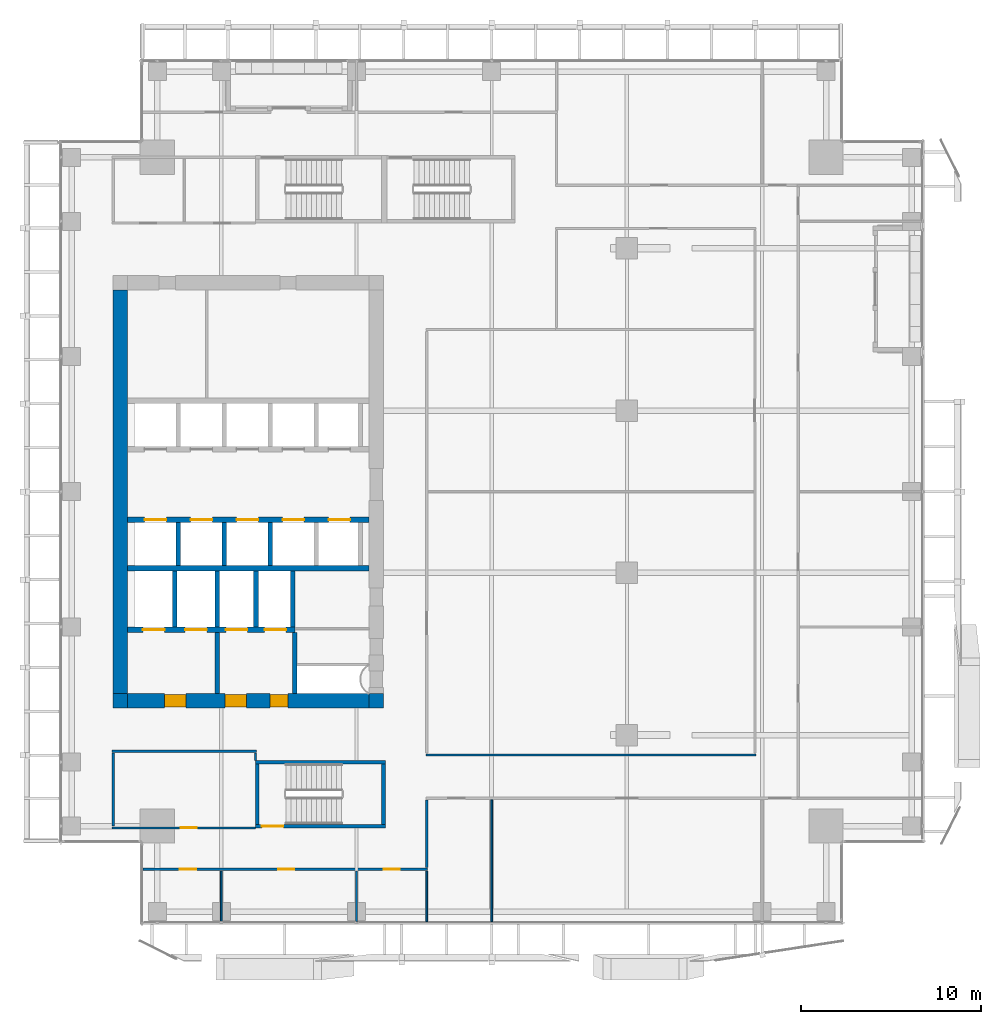
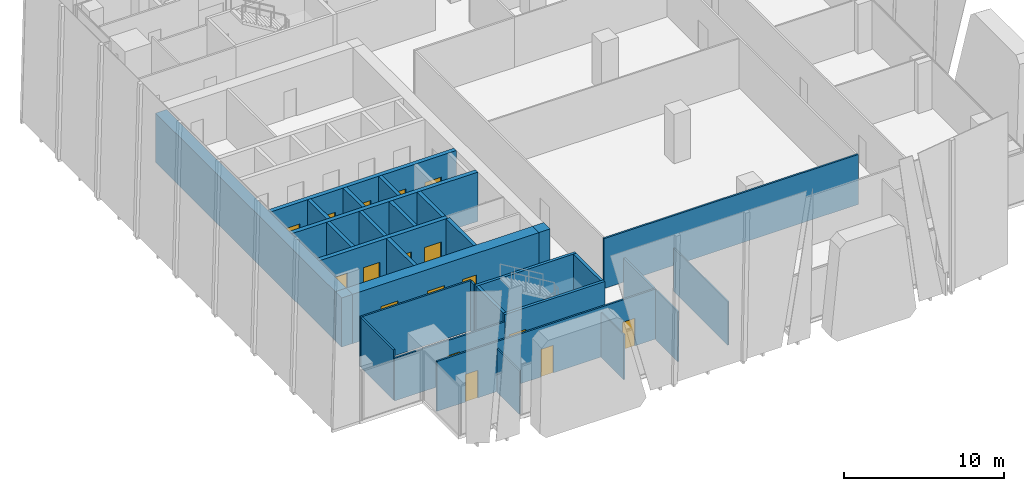
# One storey, part 28 of 35: 31 walls, 17 doors, 17 openings.
"""IFC4 building model written with IfcOpenShell, lengths in metres."""

from ifc_helpers import new_model, si_unit, direction, frame, frame_2d, origin, place, context, subcontext, project, spatial, rectangle, extrude, source, transform, mapped, material, layer, layer_set, type_object, element, fill, save


model = new_model("IFC4")

# Units and contexts
model_context = context("Model", 3, precision=1e-05, world=origin(), true_north=direction((0.0, 1.0)))
body_context = subcontext(model_context, "Body", "Model", "MODEL_VIEW")
ifc_project = project(units=[si_unit("LENGTHUNIT", "METRE"), si_unit("AREAUNIT", "SQUARE_METRE"), si_unit("VOLUMEUNIT", "CUBIC_METRE"), si_unit("PLANEANGLEUNIT", "RADIAN"), si_unit("MASSUNIT", "GRAM", prefix="KILO")], contexts=[model_context])

# Site, building, storey
site_placement = place(None, origin())
site = spatial("IfcSite", under=ifc_project, at=site_placement, CompositionType="ELEMENT")
building_placement = place(site_placement, origin())
building = spatial("IfcBuilding", under=site, at=building_placement, Name="Khomas Fold Tower", CompositionType="ELEMENT")
storey_placement = place(building_placement, frame((0.0, 0.0, 188.699951171875)))
storey = spatial("IfcBuildingStorey", under=building, at=storey_placement, Name="L41", CompositionType="ELEMENT", Elevation=188.699951171875)

# Wall, openings, doors
ifc_material_1 = material(Name="Concrete C60/75", Category="concrete")
ifc_layer_1 = layer(ifc_material_1, 0.800048828125)
ifc_layer_set_1 = layer_set([ifc_layer_1], Name="Concrete C60/75")
wall_type_1 = type_object("IfcWallType", Name="Core wall 800", PredefinedType="SHEAR", material=ifc_layer_set_1)
shared_shape_1 = source(origin(), body_context, "Body", "SweptSolid", [
    extrude(rectangle(XDim=13.39990234375, YDim=0.800048828125, at=frame_2d((6.699951171875, 0.0))), origin(), (0.0, 0.0, 1.0), 3.75),
])
wall_1_placement = place(storey_placement, frame((6.800048828125, 15.39990234375, 0.0), z_axis=(0.0, 0.0, 1.0), x_axis=(1.0, 0.0, 0.0)))
wall_1 = element("IfcWall", 1, at=wall_1_placement, inside=storey, type_object=wall_type_1, Name="Core wall CW-U-S-L35", PredefinedType="SHEAR", context=body_context, shape_type="MappedRepresentation", body=[
    mapped(shared_shape_1, transform((0.0, 0.0, 0.0))),
])
shared_shape_2 = source(origin(), body_context, "Body", "SweptSolid", [
    extrude(rectangle(XDim=1.199951171875, YDim=2.10009765625, at=frame_2d((0.60009765625, 1.050048828125))), frame((0.0, 0.409912109375, 0.0), z_axis=(0.0, -1.0, 0.0), x_axis=(1.0, 0.0, 0.0)), (0.0, 0.0, 1.0), 0.820068359375),
])
opening_1_placement = place(wall_1_placement, frame((5.39990234375, 0.0, 0.0)))
opening_1 = element("IfcOpeningElement", 2, at=opening_1_placement, cuts=wall_1, Name="Opening 0009", PredefinedType="OPENING", context=body_context, shape_type="MappedRepresentation", body=[
    mapped(shared_shape_2, transform((0.0, 0.0, 0.0))),
])
opening_2_placement = place(wall_1_placement, frame((2.050048828125, 0.0, 0.0)))
opening_2 = element("IfcOpeningElement", 3, at=opening_2_placement, cuts=wall_1, Name="Opening 0009", PredefinedType="OPENING", context=body_context, shape_type="MappedRepresentation", body=[
    mapped(shared_shape_2, transform((0.0, 0.0, 0.0))),
])
shared_shape_3 = source(origin(), body_context, "Body", "SweptSolid", [
    extrude(rectangle(XDim=1.0, YDim=2.10009765625, at=frame_2d((0.5, 1.050048828125))), frame((0.0, 0.409912109375, 0.0), z_axis=(0.0, -1.0, 0.0), x_axis=(1.0, 0.0, 0.0)), (0.0, 0.0, 1.0), 0.820068359375),
])
opening_3_placement = place(wall_1_placement, frame((7.89990234375, 0.0, 0.0)))
opening_3 = element("IfcOpeningElement", 4, at=opening_3_placement, cuts=wall_1, Name="Opening 0010", PredefinedType="OPENING", context=body_context, shape_type="MappedRepresentation", body=[
    mapped(shared_shape_3, transform((0.0, 0.0, 0.0))),
])
ifc_material_2 = material(Name="Steel door leaf", Category="steel")
door_type_1 = type_object("IfcDoorType", Name="Lobby door 1200x2100 right-hand", OperationType="SINGLE_SWING_RIGHT", PredefinedType="DOOR", material=ifc_material_2)
shared_shape_4 = source(origin(), body_context, "Body", "SweptSolid", [
    extrude(rectangle(XDim=1.199951171875, YDim=2.10009765625, at=frame_2d((0.60009765625, 1.050048828125))), frame((0.0, 0.35009765625, 0.0), z_axis=(0.0, -1.0, 0.0), x_axis=(1.0, 0.0, 0.0)), (0.0, 0.0, 1.0), 0.699951171875),
])
door_1_placement = place(opening_1_placement, origin())
door_1 = element("IfcDoor", 5, at=door_1_placement, inside=storey, type_object=door_type_1, Name="Lobby door", OperationType="SINGLE_SWING_RIGHT", OverallHeight=2.10009765625, OverallWidth=1.199951171875, PredefinedType="DOOR", context=body_context, shape_type="MappedRepresentation", body=[
    mapped(shared_shape_4, transform((0.0, 0.0, 0.0))),
])
fill(opening_1, door_1)
door_2_placement = place(opening_2_placement, origin())
door_2 = element("IfcDoor", 6, at=door_2_placement, inside=storey, type_object=door_type_1, Name="Lobby door", OperationType="SINGLE_SWING_RIGHT", OverallHeight=2.10009765625, OverallWidth=1.199951171875, PredefinedType="DOOR", context=body_context, shape_type="MappedRepresentation", body=[
    mapped(shared_shape_4, transform((0.0, 0.0, 0.0))),
])
fill(opening_2, door_2)
ifc_material_3 = material(Name="Steel door leaf", Category="steel")
door_type_2 = type_object("IfcDoorType", Name="Stair door 1000x2100 right-hand", OperationType="SINGLE_SWING_RIGHT", PredefinedType="DOOR", material=ifc_material_3)
shared_shape_5 = source(origin(), body_context, "Body", "SweptSolid", [
    extrude(rectangle(XDim=1.0, YDim=2.10009765625, at=frame_2d((0.5, 1.050048828125))), frame((0.0, 0.35009765625, 0.0), z_axis=(0.0, -1.0, 0.0), x_axis=(1.0, 0.0, 0.0)), (0.0, 0.0, 1.0), 0.699951171875),
])
door_3_placement = place(opening_3_placement, origin())
door_3 = element("IfcDoor", 7, at=door_3_placement, inside=storey, type_object=door_type_2, Name="Stair door", OperationType="SINGLE_SWING_RIGHT", OverallHeight=2.10009765625, OverallWidth=1.0, PredefinedType="DOOR", context=body_context, shape_type="MappedRepresentation", body=[
    mapped(shared_shape_5, transform((0.0, 0.0, 0.0))),
])
fill(opening_3, door_3)

# Walls
ifc_material_4 = material(Name="Concrete C60/75", Category="concrete")
ifc_layer_2 = layer(ifc_material_4, 0.800048828125)
ifc_layer_set_2 = layer_set([ifc_layer_2], Name="Concrete C60/75")
wall_type_2 = type_object("IfcWallType", Name="Core corner wall 800", PredefinedType="SHEAR", material=ifc_layer_set_2)
shared_shape_6 = source(origin(), body_context, "Body", "SweptSolid", [
    extrude(rectangle(XDim=0.800048828125, YDim=0.800048828125, at=frame_2d((0.39990234375, 0.0))), origin(), (0.0, 0.0, 1.0), 3.75),
])
for number, where, z_axis, x_axis, name in (
    (8, (20.199951171875, 15.39990234375, 0.0), (0.0, 0.0, 1.0), (1.0, 0.0, 0.0), "Core wall CW-U-SE-L35"),
    (9, (6.0, 15.39990234375, 0.0), (0.0, 0.0, 1.0), (1.0, 0.0, 0.0), "Core wall CW-U-SW-L35"),
):
    element("IfcWall", number, at=place(storey_placement, frame(where, z_axis=z_axis, x_axis=x_axis)), inside=storey, type_object=wall_type_2, Name=name, PredefinedType="SHEAR", context=body_context, shape_type="MappedRepresentation", body=[
        mapped(shared_shape_6, transform((0.0, 0.0, 0.0))),
    ])
shared_shape_7 = source(origin(), body_context, "Body", "SweptSolid", [
    extrude(rectangle(XDim=22.39990234375, YDim=0.800048828125, at=frame_2d((11.199951171875, 0.0))), origin(), (0.0, 0.0, 1.0), 3.75),
])
wall_2_placement = place(storey_placement, frame((6.39990234375, 15.800048828125, 0.0), z_axis=(0.0, 0.0, 1.0), x_axis=(0.0, 1.0, 0.0)))
element("IfcWall", 10, at=wall_2_placement, inside=storey, type_object=wall_type_1, Name="Core wall CW-U-W-L35", PredefinedType="SHEAR", context=body_context, shape_type="MappedRepresentation", body=[
    mapped(shared_shape_7, transform((0.0, 0.0, 0.0))),
])
ifc_material_5 = material(Name="Concrete C50/60", Category="concrete")
ifc_layer_3 = layer(ifc_material_5, 0.199951171875)
ifc_layer_set_3 = layer_set([ifc_layer_3], Name="Concrete C50/60")
wall_type_3 = type_object("IfcWallType", Name="Stair wall 200", PredefinedType="SHEAR", material=ifc_layer_set_3)
shared_shape_8 = source(origin(), body_context, "Body", "SweptSolid", [
    extrude(rectangle(XDim=7.2001953125, YDim=0.199951171875, at=frame_2d((3.60009765625, 0.0))), origin(), (0.0, 0.0, 1.0), 3.75),
])
wall_3_placement = place(storey_placement, frame((13.89990234375, 12.0, 0.0), z_axis=(0.0, 0.0, 1.0), x_axis=(1.0, 0.0, 0.0)))
element("IfcWall", 11, at=wall_3_placement, inside=storey, type_object=wall_type_3, Name="Stair wall SW-ST2-NH", PredefinedType="SHEAR", context=body_context, shape_type="MappedRepresentation", body=[
    mapped(shared_shape_8, transform((0.0, 0.0, 0.0))),
])

# Wall, opening, door
wall_4_placement = place(storey_placement, frame((13.89990234375, 8.449951171875, 0.0), z_axis=(0.0, 0.0, 1.0), x_axis=(1.0, 0.0, 0.0)))
wall_4 = element("IfcWall", 12, at=wall_4_placement, inside=storey, type_object=wall_type_3, Name="Stair wall SW-ST2-S", PredefinedType="SHEAR", context=body_context, shape_type="MappedRepresentation", body=[
    mapped(shared_shape_8, transform((0.0, 0.0, 0.0))),
])
shared_shape_9 = source(origin(), body_context, "Body", "SweptSolid", [
    extrude(rectangle(XDim=1.199951171875, YDim=2.10009765625, at=frame_2d((0.60009765625, 1.050048828125))), frame((0.0, 0.10986328125, 0.0), z_axis=(0.0, -1.0, 0.0), x_axis=(1.0, 0.0, 0.0)), (0.0, 0.0, 1.0), 0.219970703125),
])
opening_4_placement = place(wall_4_placement, frame((0.35009765625, 0.0, 0.0)))
opening_4 = element("IfcOpeningElement", 13, at=opening_4_placement, cuts=wall_4, Name="Opening SD-ST2", PredefinedType="OPENING", context=body_context, shape_type="MappedRepresentation", body=[
    mapped(shared_shape_9, transform((0.0, 0.0, 0.0))),
])
ifc_material_6 = material(Name="Steel door leaf", Category="steel")
door_type_3 = type_object("IfcDoorType", Name="Stair door 1200x2100 right-hand", OperationType="SINGLE_SWING_RIGHT", PredefinedType="DOOR", material=ifc_material_6)
shared_shape_10 = source(origin(), body_context, "Body", "SweptSolid", [
    extrude(rectangle(XDim=1.199951171875, YDim=2.10009765625, at=frame_2d((0.60009765625, 1.050048828125))), frame((0.0, 0.02490234375, 0.0), z_axis=(0.0, -1.0, 0.0), x_axis=(1.0, 0.0, 0.0)), (0.0, 0.0, 1.0), 0.050048828125),
])
door_4_placement = place(opening_4_placement, origin())
door_4 = element("IfcDoor", 14, at=door_4_placement, inside=storey, type_object=door_type_3, Name="Stair door", OperationType="SINGLE_SWING_RIGHT", OverallHeight=2.10009765625, OverallWidth=1.199951171875, PredefinedType="DOOR", context=body_context, shape_type="MappedRepresentation", body=[
    mapped(shared_shape_10, transform((0.0, 0.0, 0.0))),
])
fill(opening_4, door_4)

# Walls
shared_shape_11 = source(origin(), body_context, "Body", "SweptSolid", [
    extrude(rectangle(XDim=3.349853515625, YDim=0.199951171875, at=frame_2d((1.6748046875, 0.0))), origin(), (0.0, 0.0, 1.0), 3.75),
])
for number, where, z_axis, x_axis, name in (
    (15, (21.0, 8.550048828125, 0.0), (0.0, 0.0, 1.0), (0.0, 1.0, 0.0), "Stair wall SW-ST2-E"),
    (16, (14.0, 8.550048828125, 0.0), (0.0, 0.0, 1.0), (0.0, 1.0, 0.0), "Stair wall SW-ST2-W"),
):
    element("IfcWall", number, at=place(storey_placement, frame(where, z_axis=z_axis, x_axis=x_axis)), inside=storey, type_object=wall_type_3, Name=name, PredefinedType="SHEAR", context=body_context, shape_type="MappedRepresentation", body=[
        mapped(shared_shape_11, transform((0.0, 0.0, 0.0))),
    ])
ifc_material_7 = material(Name="Concrete C50/60", Category="concrete")
ifc_layer_4 = layer(ifc_material_7, 0.300048828125)
ifc_layer_set_4 = layer_set([ifc_layer_4], Name="Concrete C50/60")
wall_type_4 = type_object("IfcWallType", Name="Shaft wall 300", PredefinedType="STANDARD", material=ifc_layer_set_4)
shared_shape_12 = source(origin(), body_context, "Body", "SweptSolid", [
    extrude(rectangle(XDim=13.39990234375, YDim=0.300048828125, at=frame_2d((6.699951171875, 0.0))), origin(), (0.0, 0.0, 1.0), 3.75),
])
wall_5_placement = place(storey_placement, frame((6.800048828125, 22.75, 0.0), z_axis=(0.0, 0.0, 1.0), x_axis=(1.0, 0.0, 0.0)))
element("IfcWall", 17, at=wall_5_placement, inside=storey, type_object=wall_type_4, Name="Core wall SW-FS-B", PredefinedType="STANDARD", context=body_context, shape_type="MappedRepresentation", body=[
    mapped(shared_shape_12, transform((0.0, 0.0, 0.0))),
])

# Wall, openings, doors
wall_6_placement = place(storey_placement, frame((6.800048828125, 25.449951171875, 0.0), z_axis=(0.0, 0.0, 1.0), x_axis=(1.0, 0.0, 0.0)))
wall_6 = element("IfcWall", 18, at=wall_6_placement, inside=storey, type_object=wall_type_4, Name="Core wall SW-HRS-F", PredefinedType="STANDARD", context=body_context, shape_type="MappedRepresentation", body=[
    mapped(shared_shape_12, transform((0.0, 0.0, 0.0))),
])
shared_shape_13 = source(origin(), body_context, "Body", "SweptSolid", [
    extrude(rectangle(XDim=1.199951171875, YDim=2.10009765625, at=frame_2d((0.60009765625, 1.050048828125))), frame((0.0, 0.159912109375, 0.0), z_axis=(0.0, -1.0, 0.0), x_axis=(1.0, 0.0, 0.0)), (0.0, 0.0, 1.0), 0.320068359375),
])
opening_5_placement = place(wall_6_placement, frame((0.949951171875, 0.0, 0.0)))
opening_5 = element("IfcOpeningElement", 19, at=opening_5_placement, cuts=wall_6, Name="Opening LD-HR1", PredefinedType="OPENING", context=body_context, shape_type="MappedRepresentation", body=[
    mapped(shared_shape_13, transform((0.0, 0.0, 0.0))),
])
opening_6_placement = place(wall_6_placement, frame((3.5, 0.0, 0.0)))
opening_6 = element("IfcOpeningElement", 20, at=opening_6_placement, cuts=wall_6, Name="Opening LD-HR2", PredefinedType="OPENING", context=body_context, shape_type="MappedRepresentation", body=[
    mapped(shared_shape_13, transform((0.0, 0.0, 0.0))),
])
opening_7_placement = place(wall_6_placement, frame((6.050048828125, 0.0, 0.0)))
opening_7 = element("IfcOpeningElement", 21, at=opening_7_placement, cuts=wall_6, Name="Opening LD-HR3", PredefinedType="OPENING", context=body_context, shape_type="MappedRepresentation", body=[
    mapped(shared_shape_13, transform((0.0, 0.0, 0.0))),
])
opening_8_placement = place(wall_6_placement, frame((8.60009765625, 0.0, 0.0)))
opening_8 = element("IfcOpeningElement", 22, at=opening_8_placement, cuts=wall_6, Name="Opening LD-MR1", PredefinedType="OPENING", context=body_context, shape_type="MappedRepresentation", body=[
    mapped(shared_shape_13, transform((0.0, 0.0, 0.0))),
])
opening_9_placement = place(wall_6_placement, frame((11.14990234375, 0.0, 0.0)))
opening_9 = element("IfcOpeningElement", 23, at=opening_9_placement, cuts=wall_6, Name="Opening LD-MR2", PredefinedType="OPENING", context=body_context, shape_type="MappedRepresentation", body=[
    mapped(shared_shape_13, transform((0.0, 0.0, 0.0))),
])
ifc_material_8 = material(Name="Steel door leaf", Category="steel")
door_type_4 = type_object("IfcDoorType", Name="Landing door 1200x2100", OperationType="DOUBLE_DOOR_SLIDING", PredefinedType="DOOR", material=ifc_material_8)
door_5_placement = place(opening_5_placement, origin())
door_5 = element("IfcDoor", 24, at=door_5_placement, inside=storey, type_object=door_type_4, Name="Lift landing door", OperationType="DOUBLE_DOOR_SLIDING", OverallHeight=2.10009765625, OverallWidth=1.199951171875, PredefinedType="DOOR", context=body_context, shape_type="MappedRepresentation", body=[
    mapped(shared_shape_10, transform((0.0, 0.0, 0.0))),
])
fill(opening_5, door_5)
door_6_placement = place(opening_6_placement, origin())
door_6 = element("IfcDoor", 25, at=door_6_placement, inside=storey, type_object=door_type_4, Name="Lift landing door", OperationType="DOUBLE_DOOR_SLIDING", OverallHeight=2.10009765625, OverallWidth=1.199951171875, PredefinedType="DOOR", context=body_context, shape_type="MappedRepresentation", body=[
    mapped(shared_shape_10, transform((0.0, 0.0, 0.0))),
])
fill(opening_6, door_6)
door_7_placement = place(opening_7_placement, origin())
door_7 = element("IfcDoor", 26, at=door_7_placement, inside=storey, type_object=door_type_4, Name="Lift landing door", OperationType="DOUBLE_DOOR_SLIDING", OverallHeight=2.10009765625, OverallWidth=1.199951171875, PredefinedType="DOOR", context=body_context, shape_type="MappedRepresentation", body=[
    mapped(shared_shape_10, transform((0.0, 0.0, 0.0))),
])
fill(opening_7, door_7)
door_8_placement = place(opening_8_placement, origin())
door_8 = element("IfcDoor", 27, at=door_8_placement, inside=storey, type_object=door_type_4, Name="Lift landing door", OperationType="DOUBLE_DOOR_SLIDING", OverallHeight=2.10009765625, OverallWidth=1.199951171875, PredefinedType="DOOR", context=body_context, shape_type="MappedRepresentation", body=[
    mapped(shared_shape_10, transform((0.0, 0.0, 0.0))),
])
fill(opening_8, door_8)
door_9_placement = place(opening_9_placement, origin())
door_9 = element("IfcDoor", 28, at=door_9_placement, inside=storey, type_object=door_type_4, Name="Lift landing door", OperationType="DOUBLE_DOOR_SLIDING", OverallHeight=2.10009765625, OverallWidth=1.199951171875, PredefinedType="DOOR", context=body_context, shape_type="MappedRepresentation", body=[
    mapped(shared_shape_10, transform((0.0, 0.0, 0.0))),
])
fill(opening_9, door_9)

shared_shape_14 = source(origin(), body_context, "Body", "SweptSolid", [
    extrude(rectangle(XDim=9.27490234375, YDim=0.300048828125, at=frame_2d((4.637451171875, 0.0))), origin(), (0.0, 0.0, 1.0), 3.75),
])
wall_7_placement = place(storey_placement, frame((6.800048828125, 19.35009765625, 0.0), z_axis=(0.0, 0.0, 1.0), x_axis=(1.0, 0.0, 0.0)))
wall_7 = element("IfcWall", 29, at=wall_7_placement, inside=storey, type_object=wall_type_4, Name="Core wall SW-FS-F", PredefinedType="STANDARD", context=body_context, shape_type="MappedRepresentation", body=[
    mapped(shared_shape_14, transform((0.0, 0.0, 0.0))),
])
opening_10_placement = place(wall_7_placement, frame((0.85009765625, 0.0, 0.0)))
opening_10 = element("IfcOpeningElement", 30, at=opening_10_placement, cuts=wall_7, Name="Opening LD-SV1", PredefinedType="OPENING", context=body_context, shape_type="MappedRepresentation", body=[
    mapped(shared_shape_13, transform((0.0, 0.0, 0.0))),
])
opening_11_placement = place(wall_7_placement, frame((3.199951171875, 0.0, 0.0)))
opening_11 = element("IfcOpeningElement", 31, at=opening_11_placement, cuts=wall_7, Name="Opening LD-SV2", PredefinedType="OPENING", context=body_context, shape_type="MappedRepresentation", body=[
    mapped(shared_shape_13, transform((0.0, 0.0, 0.0))),
])
opening_12_placement = place(wall_7_placement, frame((5.449951171875, 0.0, 0.0)))
opening_12 = element("IfcOpeningElement", 32, at=opening_12_placement, cuts=wall_7, Name="Opening LD-FF1", PredefinedType="OPENING", context=body_context, shape_type="MappedRepresentation", body=[
    mapped(shared_shape_13, transform((0.0, 0.0, 0.0))),
])
opening_13_placement = place(wall_7_placement, frame((7.60009765625, 0.0, 0.0)))
opening_13 = element("IfcOpeningElement", 33, at=opening_13_placement, cuts=wall_7, Name="Opening LD-FF2", PredefinedType="OPENING", context=body_context, shape_type="MappedRepresentation", body=[
    mapped(shared_shape_13, transform((0.0, 0.0, 0.0))),
])
door_10_placement = place(opening_10_placement, origin())
door_10 = element("IfcDoor", 34, at=door_10_placement, inside=storey, type_object=door_type_4, Name="Lift landing door", OperationType="DOUBLE_DOOR_SLIDING", OverallHeight=2.10009765625, OverallWidth=1.199951171875, PredefinedType="DOOR", context=body_context, shape_type="MappedRepresentation", body=[
    mapped(shared_shape_10, transform((0.0, 0.0, 0.0))),
])
fill(opening_10, door_10)
door_11_placement = place(opening_11_placement, origin())
door_11 = element("IfcDoor", 35, at=door_11_placement, inside=storey, type_object=door_type_4, Name="Lift landing door", OperationType="DOUBLE_DOOR_SLIDING", OverallHeight=2.10009765625, OverallWidth=1.199951171875, PredefinedType="DOOR", context=body_context, shape_type="MappedRepresentation", body=[
    mapped(shared_shape_10, transform((0.0, 0.0, 0.0))),
])
fill(opening_11, door_11)
door_12_placement = place(opening_12_placement, origin())
door_12 = element("IfcDoor", 36, at=door_12_placement, inside=storey, type_object=door_type_4, Name="Lift landing door", OperationType="DOUBLE_DOOR_SLIDING", OverallHeight=2.10009765625, OverallWidth=1.199951171875, PredefinedType="DOOR", context=body_context, shape_type="MappedRepresentation", body=[
    mapped(shared_shape_10, transform((0.0, 0.0, 0.0))),
])
fill(opening_12, door_12)
door_13_placement = place(opening_13_placement, origin())
door_13 = element("IfcDoor", 37, at=door_13_placement, inside=storey, type_object=door_type_4, Name="Lift landing door", OperationType="DOUBLE_DOOR_SLIDING", OverallHeight=2.10009765625, OverallWidth=1.199951171875, PredefinedType="DOOR", context=body_context, shape_type="MappedRepresentation", body=[
    mapped(shared_shape_10, transform((0.0, 0.0, 0.0))),
])
fill(opening_13, door_13)

# Walls
ifc_material_9 = material(Name="Concrete C50/60", Category="concrete")
ifc_layer_5 = layer(ifc_material_9, 0.25)
ifc_layer_set_5 = layer_set([ifc_layer_5], Name="Concrete C50/60")
wall_type_5 = type_object("IfcWallType", Name="Shaft wall 250", PredefinedType="STANDARD", material=ifc_layer_set_5)
shared_shape_15 = source(origin(), body_context, "Body", "SweptSolid", [
    extrude(rectangle(XDim=3.10009765625, YDim=0.25, at=frame_2d((1.550048828125, 0.0))), origin(), (0.0, 0.0, 1.0), 3.75),
])
for number, where, z_axis, x_axis, name in (
    (38, (9.425048828125, 19.5, 0.0), (0.0, 0.0, 1.0), (0.0, 1.0, 0.0), "Core wall SW-FS-P1"),
    (39, (11.77490234375, 19.5, 0.0), (0.0, 0.0, 1.0), (0.0, 1.0, 0.0), "Core wall SW-FS-P2"),
    (40, (13.925048828125, 19.5, 0.0), (0.0, 0.0, 1.0), (0.0, 1.0, 0.0), "Core wall SW-FS-P3"),
    (41, (15.949951171875, 19.5, 0.0), (0.0, 0.0, 1.0), (0.0, 1.0, 0.0), "Core wall SW-FS-PE"),
):
    element("IfcWall", number, at=place(storey_placement, frame(where, z_axis=z_axis, x_axis=x_axis)), inside=storey, type_object=wall_type_5, Name=name, PredefinedType="STANDARD", context=body_context, shape_type="MappedRepresentation", body=[
        mapped(shared_shape_15, transform((0.0, 0.0, 0.0))),
    ])
shared_shape_16 = source(origin(), body_context, "Body", "SweptSolid", [
    extrude(rectangle(XDim=2.400146484375, YDim=0.25, at=frame_2d((1.2001953125, 0.0))), origin(), (0.0, 0.0, 1.0), 3.75),
])
for number, where, z_axis, x_axis, name in (
    (42, (9.625, 22.89990234375, 0.0), (0.0, 0.0, 1.0), (0.0, 1.0, 0.0), "Core wall SW-HRS-P1"),
    (43, (12.175048828125, 22.89990234375, 0.0), (0.0, 0.0, 1.0), (0.0, 1.0, 0.0), "Core wall SW-HRS-P2"),
    (44, (14.72509765625, 22.89990234375, 0.0), (0.0, 0.0, 1.0), (0.0, 1.0, 0.0), "Core wall SW-HRS-PE"),
):
    element("IfcWall", number, at=place(storey_placement, frame(where, z_axis=z_axis, x_axis=x_axis)), inside=storey, type_object=wall_type_5, Name=name, PredefinedType="STANDARD", context=body_context, shape_type="MappedRepresentation", body=[
        mapped(shared_shape_16, transform((0.0, 0.0, 0.0))),
    ])
ifc_material_10 = material(Name="Concrete C50/60", Category="concrete")
ifc_layer_6 = layer(ifc_material_10, 0.25)
ifc_layer_set_6 = layer_set([ifc_layer_6], Name="Concrete C50/60")
wall_type_6 = type_object("IfcWallType", Name="Lobby wall 250", PredefinedType="STANDARD", material=ifc_layer_set_6)
shared_shape_17 = source(origin(), body_context, "Body", "SweptSolid", [
    extrude(rectangle(XDim=3.39990234375, YDim=0.25, at=frame_2d((1.699951171875, 0.0))), origin(), (0.0, 0.0, 1.0), 3.75),
])
for number, where, z_axis, x_axis, name in (
    (45, (16.074951171875, 15.800048828125, 0.0), (0.0, 0.0, 1.0), (0.0, 1.0, 0.0), "Core wall SW-FS-LOB-E"),
    (46, (11.77490234375, 15.800048828125, 0.0), (0.0, 0.0, 1.0), (0.0, 1.0, 0.0), "Core wall SW-FS-SEP"),
):
    element("IfcWall", number, at=place(storey_placement, frame(where, z_axis=z_axis, x_axis=x_axis)), inside=storey, type_object=wall_type_6, Name=name, PredefinedType="STANDARD", context=body_context, shape_type="MappedRepresentation", body=[
        mapped(shared_shape_17, transform((0.0, 0.0, 0.0))),
    ])
ifc_material_11 = material(Name="Plasterboard partition")
ifc_layer_7 = layer(ifc_material_11, 0.10009765625)
ifc_layer_set_7 = layer_set([ifc_layer_7], Name="Plasterboard partition")
wall_type_7 = type_object("IfcWallType", Name="Partition PW1 100", PredefinedType="PARTITIONING", material=ifc_layer_set_7)
shared_shape_18 = source(origin(), body_context, "Body", "SweptSolid", [
    extrude(rectangle(XDim=2.800048828125, YDim=0.10009765625, at=frame_2d((1.39990234375, 0.0))), origin(), (0.0, 0.0, 1.0), 3.420166015625),
])
wall_8_placement = place(storey_placement, frame((19.5, 3.14990234375, 0.0), z_axis=(0.0, 0.0, 1.0), x_axis=(0.0, 1.0, 0.0)))
element("IfcWall", 47, at=wall_8_placement, inside=storey, type_object=wall_type_7, Name="Partition", PredefinedType="PARTITIONING", context=body_context, shape_type="MappedRepresentation", body=[
    mapped(shared_shape_18, transform((0.0, 0.0, 0.0))),
])

# Wall, opening, door
ifc_material_12 = material(Name="Plasterboard partition")
ifc_layer_8 = layer(ifc_material_12, 0.125)
ifc_layer_set_8 = layer_set([ifc_layer_8], Name="Plasterboard partition")
wall_type_8 = type_object("IfcWallType", Name="Partition PW2 125", PredefinedType="PARTITIONING", material=ifc_layer_set_8)
shared_shape_19 = source(origin(), body_context, "Body", "SweptSolid", [
    extrude(rectangle(XDim=7.949951171875, YDim=0.125, at=frame_2d((3.97509765625, 0.0))), origin(), (0.0, 0.0, 1.0), 3.25),
])
wall_9_placement = place(storey_placement, frame((5.949951171875, 8.35009765625, 0.0), z_axis=(0.0, 0.0, 1.0), x_axis=(1.0, 0.0, 0.0)))
wall_9 = element("IfcWall", 48, at=wall_9_placement, inside=storey, type_object=wall_type_8, Name="Partition", PredefinedType="PARTITIONING", context=body_context, shape_type="MappedRepresentation", body=[
    mapped(shared_shape_19, transform((0.0, 0.0, 0.0))),
])
shared_shape_20 = source(origin(), body_context, "Body", "SweptSolid", [
    extrude(rectangle(XDim=0.89990234375, YDim=2.10009765625, at=frame_2d((0.449951171875, 1.050048828125))), frame((0.0, 0.072509765625, 0.0), z_axis=(0.0, -1.0, 0.0), x_axis=(1.0, 0.0, 0.0)), (0.0, 0.0, 1.0), 0.14501953125),
])
opening_14_placement = place(wall_9_placement, frame((3.800048828125, 0.0, 0.0)))
opening_14 = element("IfcOpeningElement", 49, at=opening_14_placement, cuts=wall_9, Name="Opening 0007", PredefinedType="OPENING", context=body_context, shape_type="MappedRepresentation", body=[
    mapped(shared_shape_20, transform((0.0, 0.0, 0.0))),
])
ifc_material_13 = material(Name="Timber door leaf", Category="wood")
door_type_5 = type_object("IfcDoorType", Name="Door 900x2100 left-hand", OperationType="SINGLE_SWING_LEFT", PredefinedType="DOOR", material=ifc_material_13)
shared_shape_21 = source(origin(), body_context, "Body", "SweptSolid", [
    extrude(rectangle(XDim=0.89990234375, YDim=2.10009765625, at=frame_2d((0.449951171875, 1.050048828125))), frame((0.0, 0.02490234375, 0.0), z_axis=(0.0, -1.0, 0.0), x_axis=(1.0, 0.0, 0.0)), (0.0, 0.0, 1.0), 0.050048828125),
])
door_14_placement = place(opening_14_placement, origin())
door_14 = element("IfcDoor", 50, at=door_14_placement, inside=storey, type_object=door_type_5, Name="Door", OperationType="SINGLE_SWING_LEFT", OverallHeight=2.10009765625, OverallWidth=0.89990234375, PredefinedType="DOOR", context=body_context, shape_type="MappedRepresentation", body=[
    mapped(shared_shape_21, transform((0.0, 0.0, 0.0))),
])
fill(opening_14, door_14)

# Walls
shared_shape_22 = source(origin(), body_context, "Body", "SweptSolid", [
    extrude(rectangle(XDim=4.050048828125, YDim=0.125, at=frame_2d((2.02490234375, 0.0))), origin(), (0.0, 0.0, 1.0), 3.800048828125),
])
wall_10_placement = place(storey_placement, frame((6.0, 8.449951171875, 0.0), z_axis=(0.0, 0.0, 1.0), x_axis=(0.0, 1.0, 0.0)))
element("IfcWall", 51, at=wall_10_placement, inside=storey, type_object=wall_type_8, Name="Partition", PredefinedType="PARTITIONING", context=body_context, shape_type="MappedRepresentation", body=[
    mapped(shared_shape_22, transform((0.0, 0.0, 0.0))),
])
shared_shape_23 = source(origin(), body_context, "Body", "SweptSolid", [
    extrude(rectangle(XDim=0.39990234375, YDim=0.125, at=frame_2d((0.199951171875, 0.0))), origin(), (0.0, 0.0, 1.0), 3.800048828125),
])
wall_11_placement = place(storey_placement, frame((13.89990234375, 12.10009765625, 0.0), z_axis=(0.0, 0.0, 1.0), x_axis=(0.0, 1.0, 0.0)))
element("IfcWall", 52, at=wall_11_placement, inside=storey, type_object=wall_type_8, Name="Partition", PredefinedType="PARTITIONING", context=body_context, shape_type="MappedRepresentation", body=[
    mapped(shared_shape_23, transform((0.0, 0.0, 0.0))),
])
shared_shape_24 = source(origin(), body_context, "Body", "SweptSolid", [
    extrude(rectangle(XDim=8.0, YDim=0.125, at=frame_2d((4.0, 0.0))), origin(), (0.0, 0.0, 1.0), 3.800048828125),
])
wall_12_placement = place(storey_placement, frame((5.949951171875, 12.60009765625, 0.0), z_axis=(0.0, 0.0, 1.0), x_axis=(1.0, 0.0, 0.0)))
element("IfcWall", 53, at=wall_12_placement, inside=storey, type_object=wall_type_8, Name="Partition", PredefinedType="PARTITIONING", context=body_context, shape_type="MappedRepresentation", body=[
    mapped(shared_shape_24, transform((0.0, 0.0, 0.0))),
])
shared_shape_25 = source(origin(), body_context, "Body", "SweptSolid", [
    extrude(rectangle(XDim=18.2998046875, YDim=0.125, at=frame_2d((9.14990234375, 0.0))), origin(), (0.0, 0.0, 1.0), 3.800048828125),
])
wall_13_placement = place(storey_placement, frame((23.35009765625, 12.39990234375, 0.0), z_axis=(0.0, 0.0, 1.0), x_axis=(1.0, 0.0, 0.0)))
element("IfcWall", 54, at=wall_13_placement, inside=storey, type_object=wall_type_8, Name="Partition", PredefinedType="PARTITIONING", context=body_context, shape_type="MappedRepresentation", body=[
    mapped(shared_shape_25, transform((0.0, 0.0, 0.0))),
])
shared_shape_26 = source(origin(), body_context, "Body", "SweptSolid", [
    extrude(rectangle(XDim=2.800048828125, YDim=0.10009765625, at=frame_2d((1.39990234375, 0.0))), origin(), (0.0, 0.0, 1.0), 3.800048828125),
])
wall_14_placement = place(storey_placement, frame((23.39990234375, 3.14990234375, 0.0), z_axis=(0.0, 0.0, 1.0), x_axis=(0.0, 1.0, 0.0)))
element("IfcWall", 55, at=wall_14_placement, inside=storey, type_object=wall_type_7, Name="Partition", PredefinedType="PARTITIONING", context=body_context, shape_type="MappedRepresentation", body=[
    mapped(shared_shape_26, transform((0.0, 0.0, 0.0))),
])

# Wall, openings, doors
shared_shape_27 = source(origin(), body_context, "Body", "SweptSolid", [
    extrude(rectangle(XDim=15.800048828125, YDim=0.125, at=frame_2d((7.89990234375, 0.0))), origin(), (0.0, 0.0, 1.0), 3.800048828125),
])
wall_15_placement = place(storey_placement, frame((7.64990234375, 6.050048828125, 0.0), z_axis=(0.0, 0.0, 1.0), x_axis=(1.0, 0.0, 0.0)))
wall_15 = element("IfcWall", 56, at=wall_15_placement, inside=storey, type_object=wall_type_8, Name="Partition", PredefinedType="PARTITIONING", context=body_context, shape_type="MappedRepresentation", body=[
    mapped(shared_shape_27, transform((0.0, 0.0, 0.0))),
])
opening_15_placement = place(wall_15_placement, frame((2.050048828125, 0.0, 0.0)))
opening_15 = element("IfcOpeningElement", 57, at=opening_15_placement, cuts=wall_15, Name="Opening 0008", PredefinedType="OPENING", context=body_context, shape_type="MappedRepresentation", body=[
    mapped(shared_shape_20, transform((0.0, 0.0, 0.0))),
])
opening_16_placement = place(wall_15_placement, frame((7.5, 0.0, 0.0)))
opening_16 = element("IfcOpeningElement", 58, at=opening_16_placement, cuts=wall_15, Name="Opening 0007", PredefinedType="OPENING", context=body_context, shape_type="MappedRepresentation", body=[
    mapped(shared_shape_20, transform((0.0, 0.0, 0.0))),
])
opening_17_placement = place(wall_15_placement, frame((13.35009765625, 0.0, 0.0)))
opening_17 = element("IfcOpeningElement", 59, at=opening_17_placement, cuts=wall_15, Name="Opening 0008", PredefinedType="OPENING", context=body_context, shape_type="MappedRepresentation", body=[
    mapped(shared_shape_20, transform((0.0, 0.0, 0.0))),
])
ifc_material_14 = material(Name="Timber door leaf", Category="wood")
door_type_6 = type_object("IfcDoorType", Name="Door 900x2100 right-hand", OperationType="SINGLE_SWING_RIGHT", PredefinedType="DOOR", material=ifc_material_14)
door_15_placement = place(opening_15_placement, origin())
door_15 = element("IfcDoor", 60, at=door_15_placement, inside=storey, type_object=door_type_6, Name="Door", OperationType="SINGLE_SWING_RIGHT", OverallHeight=2.10009765625, OverallWidth=0.89990234375, PredefinedType="DOOR", context=body_context, shape_type="MappedRepresentation", body=[
    mapped(shared_shape_21, transform((0.0, 0.0, 0.0))),
])
fill(opening_15, door_15)
door_16_placement = place(opening_16_placement, origin())
door_16 = element("IfcDoor", 61, at=door_16_placement, inside=storey, type_object=door_type_5, Name="Door", OperationType="SINGLE_SWING_LEFT", OverallHeight=2.10009765625, OverallWidth=0.89990234375, PredefinedType="DOOR", context=body_context, shape_type="MappedRepresentation", body=[
    mapped(shared_shape_21, transform((0.0, 0.0, 0.0))),
])
fill(opening_16, door_16)
door_17_placement = place(opening_17_placement, origin())
door_17 = element("IfcDoor", 62, at=door_17_placement, inside=storey, type_object=door_type_6, Name="Door", OperationType="SINGLE_SWING_RIGHT", OverallHeight=2.10009765625, OverallWidth=0.89990234375, PredefinedType="DOOR", context=body_context, shape_type="MappedRepresentation", body=[
    mapped(shared_shape_21, transform((0.0, 0.0, 0.0))),
])
fill(opening_17, door_17)

# Walls
shared_shape_28 = source(origin(), body_context, "Body", "SweptSolid", [
    extrude(rectangle(XDim=3.75, YDim=0.125, at=frame_2d((1.875, 0.0))), origin(), (0.0, 0.0, 1.0), 3.800048828125),
])
wall_16_placement = place(storey_placement, frame((23.39990234375, 6.14990234375, 0.0), z_axis=(0.0, 0.0, 1.0), x_axis=(0.0, 1.0, 0.0)))
element("IfcWall", 63, at=wall_16_placement, inside=storey, type_object=wall_type_8, Name="Partition", PredefinedType="PARTITIONING", context=body_context, shape_type="MappedRepresentation", body=[
    mapped(shared_shape_28, transform((0.0, 0.0, 0.0))),
])
shared_shape_29 = source(origin(), body_context, "Body", "SweptSolid", [
    extrude(rectangle(XDim=2.800048828125, YDim=0.10009765625, at=frame_2d((1.39990234375, 0.0))), origin(), (0.0, 0.0, 1.0), 3.300048828125),
])
wall_17_placement = place(storey_placement, frame((12.0, 3.14990234375, 0.0), z_axis=(0.0, 0.0, 1.0), x_axis=(0.0, 1.0, 0.0)))
element("IfcWall", 64, at=wall_17_placement, inside=storey, type_object=wall_type_7, Name="Partition", PredefinedType="PARTITIONING", context=body_context, shape_type="MappedRepresentation", body=[
    mapped(shared_shape_29, transform((0.0, 0.0, 0.0))),
])
shared_shape_30 = source(origin(), body_context, "Body", "SweptSolid", [
    extrude(rectangle(XDim=6.75, YDim=0.10009765625, at=frame_2d((3.375, 0.0))), origin(), (0.0, 0.0, 1.0), 3.300048828125),
])
wall_18_placement = place(storey_placement, frame((27.0, 3.14990234375, 0.0), z_axis=(0.0, 0.0, 1.0), x_axis=(0.0, 1.0, 0.0)))
element("IfcWall", 65, at=wall_18_placement, inside=storey, type_object=wall_type_7, Name="Partition", PredefinedType="PARTITIONING", context=body_context, shape_type="MappedRepresentation", body=[
    mapped(shared_shape_30, transform((0.0, 0.0, 0.0))),
])

save(model, "model.ifc")
